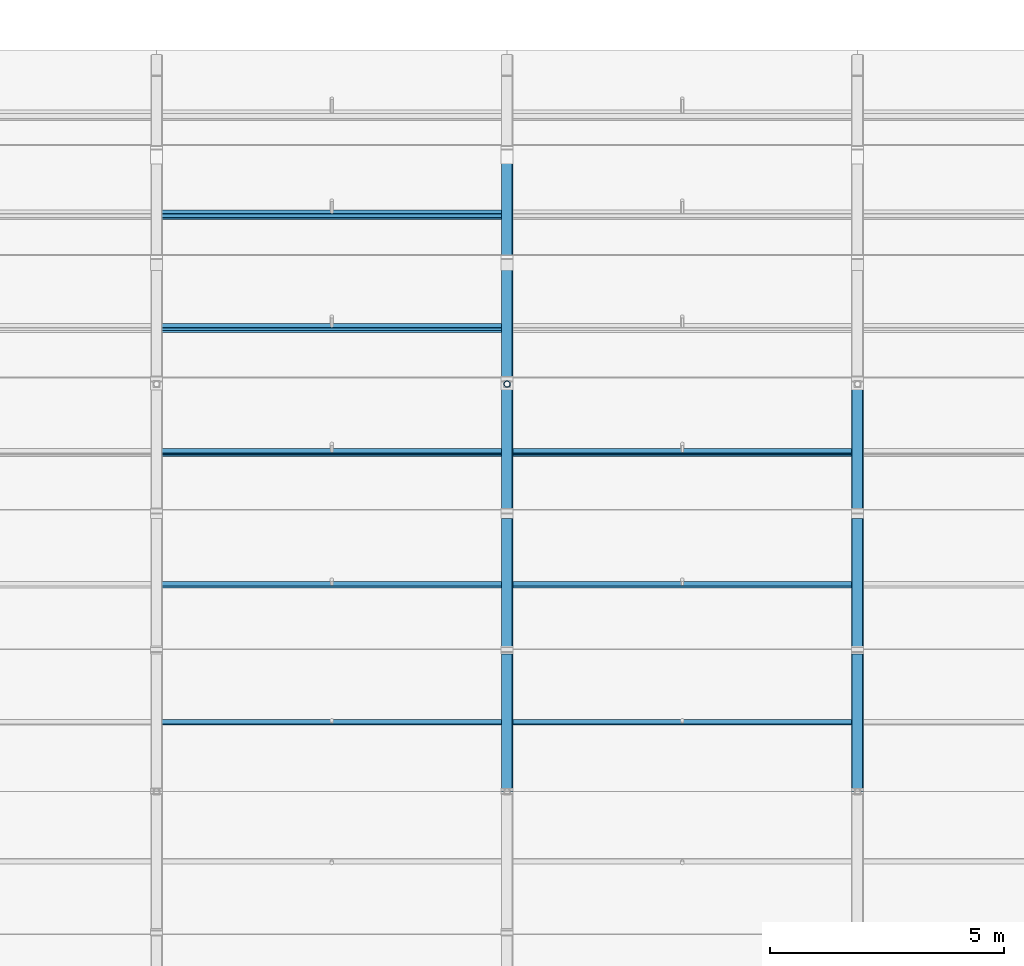
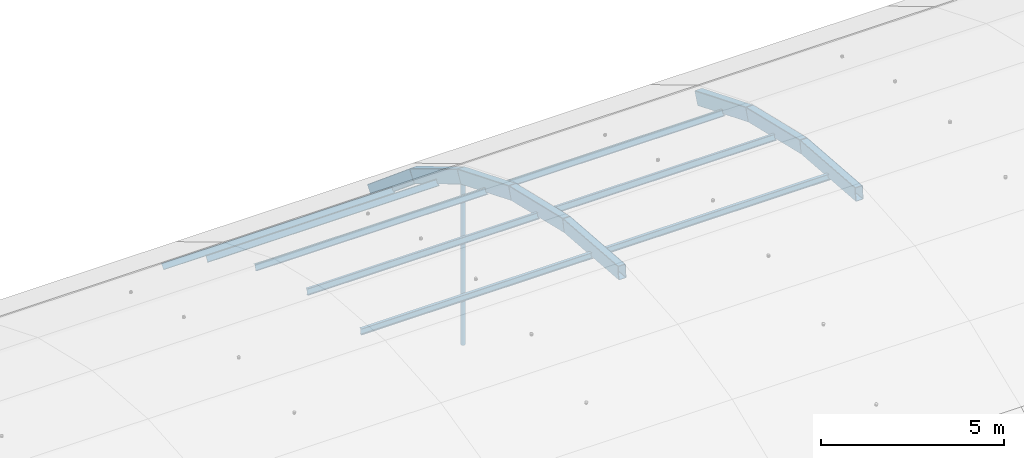
# One storey, part 17 of 77: 9 members, 8 beams.
"""IFC4 building model written with IfcOpenShell, lengths in metres."""

import ifcopenshell
import ifcopenshell.guid

model = None  # the IFC model being written
_history = None  # IfcOwnerHistory: only IFC2X3 demands one
_inside = {}  # id of a spatial element -> (the spatial element, [elements in it])
_under = {}  # id of a project, library or spatial element -> (it, [spatial elements below it])
_declared = {}  # id of a project -> (the project, [libraries it declares])
_typed = {}  # id of a type object -> (the type object, [elements of that type])
_made_of = {}  # id of a material, layer set ... -> (it, [elements and type objects made of it])


def new_model(schema):
    """Start an empty IFC model of exactly this schema.

    Asked for "IFC4X3", IfcOpenShell would pick the latest addendum, in which some entities
    have other attributes; the version numbers below select the first issue.
    IFC2X3 requires an IfcOwnerHistory on every rooted entity: one is made here for all.
    """
    global model, _history
    if schema == "IFC4X3":
        model = ifcopenshell.file(schema_version=(4, 3, 0, 0))
    else:
        model = ifcopenshell.file(schema=schema)
    _inside.clear()
    _under.clear()
    _declared.clear()
    _typed.clear()
    _made_of.clear()
    _history = None
    if model.schema == "IFC2X3":
        org = make("IfcOrganization", Name="unknown")
        user = make(
            "IfcPersonAndOrganization",
            ThePerson=make("IfcPerson", FamilyName="unknown"),
            TheOrganization=org,
        )
        app = make(
            "IfcApplication",
            ApplicationDeveloper=org,
            Version="unknown",
            ApplicationFullName="unknown",
            ApplicationIdentifier="unknown",
        )
        _history = make(
            "IfcOwnerHistory",
            OwningUser=user,
            OwningApplication=app,
            ChangeAction="ADDED",
            CreationDate=0,
        )
    return model


def make(cls, **values):
    """One entity of the class cls with the attributes given. An attribute that is None is left unset."""
    return model.create_entity(
        cls, **{name: value for name, value in values.items() if value is not None}
    )


def rooted(cls, **values):
    """An entity with a GlobalId (a new one), such as an element, a storey or a relation."""
    return make(cls, GlobalId=ifcopenshell.guid.new(), OwnerHistory=_history, **values)


def si_unit(unit_type, name, prefix=None):
    """IfcSIUnit, for example si_unit("LENGTHUNIT", "METRE", prefix="MILLI")."""
    return make("IfcSIUnit", UnitType=unit_type, Prefix=prefix, Name=name)


def assignment(units):
    """IfcUnitAssignment: the units of a project."""
    return None if units is None else make("IfcUnitAssignment", Units=units)


def point(xyz):
    """IfcCartesianPoint."""
    return None if xyz is None else make("IfcCartesianPoint", Coordinates=xyz)


def direction(xyz):
    """IfcDirection."""
    return None if xyz is None else make("IfcDirection", DirectionRatios=xyz)


def frame(location, z_axis=None, x_axis=None):
    """IfcAxis2Placement3D, a coordinate frame: its origin and axes. An axis left out is left unset."""
    return make(
        "IfcAxis2Placement3D",
        Location=point(location),
        Axis=direction(z_axis),
        RefDirection=direction(x_axis),
    )


def frame_2d(location, x_axis=None):
    """IfcAxis2Placement2D, a coordinate frame in the plane: its origin and x axis."""
    return make(
        "IfcAxis2Placement2D", Location=point(location), RefDirection=direction(x_axis)
    )


def origin():
    """The frame at (0, 0, 0) with its axes left unset."""
    return frame((0.0, 0.0, 0.0))


def origin_2d():
    """The frame at (0, 0) in the plane with its x axis left unset."""
    return frame_2d((0.0, 0.0))


def place(relative_to, where):
    """IfcLocalPlacement: puts the frame where relative to a parent placement (None: the world)."""
    return make(
        "IfcLocalPlacement", PlacementRelTo=relative_to, RelativePlacement=where
    )


def context(
    kind, dimensions, precision=None, world=None, true_north=None, identifier=None
):
    """IfcGeometricRepresentationContext, for example the 3D "Model" context."""
    return make(
        "IfcGeometricRepresentationContext",
        ContextIdentifier=identifier,
        ContextType=kind,
        CoordinateSpaceDimension=dimensions,
        Precision=precision,
        WorldCoordinateSystem=world,
        TrueNorth=true_north,
    )


def subcontext(parent, identifier, kind, view, scale=None):
    """IfcGeometricRepresentationSubContext, for example "Body" below "Model"."""
    return make(
        "IfcGeometricRepresentationSubContext",
        ContextIdentifier=identifier,
        ContextType=kind,
        ParentContext=parent,
        TargetScale=scale,
        TargetView=view,
    )


def project(units=None, contexts=None):
    """IfcProject with its units and contexts."""
    return rooted(
        "IfcProject",
        Name="project",
        RepresentationContexts=contexts,
        UnitsInContext=assignment(units),
    )


def spatial(cls, under=None, at=None, **own):
    """A site, building, storey or space (cls), placed at a placement, below another one or the project."""
    s = rooted(cls, ObjectPlacement=at, **own)
    if under is not None:
        _under.setdefault(under.id(), (under, []))[1].append(s)
    return s


def profile(cls, at=None, kind="AREA", **sizes):
    """A parametric profile (cls). Its sizes go by their IFC names, for example OverallWidth=200.0."""
    return make(cls, ProfileType=kind, Position=at, **sizes)


def hollow_rectangle(**sizes):
    """IfcRectangleHollowProfileDef."""
    return profile("IfcRectangleHollowProfileDef", **sizes)


def hollow_circle(**sizes):
    """IfcCircleHollowProfileDef."""
    return profile("IfcCircleHollowProfileDef", **sizes)


def i_section(**sizes):
    """IfcIShapeProfileDef."""
    return profile("IfcIShapeProfileDef", **sizes)


def extrude(swept, where, along, depth):
    """IfcExtrudedAreaSolid: the profile swept, set in the frame where, extruded along a direction by depth."""
    return make(
        "IfcExtrudedAreaSolid",
        SweptArea=swept,
        Position=where,
        ExtrudedDirection=direction(along),
        Depth=depth,
    )


def shape(context_of_items, identifier, shape_type, items):
    """IfcShapeRepresentation: the items that make up one representation, for example the "Body"."""
    return make(
        "IfcShapeRepresentation",
        ContextOfItems=context_of_items,
        RepresentationIdentifier=identifier,
        RepresentationType=shape_type,
        Items=items,
    )


def material(Name=None, Category=None):
    """IfcMaterial."""
    return make("IfcMaterial", Name=Name, Category=Category)


def material_profile(
    of_material, cross_section, Name=None, Category=None, Priority=None
):
    """IfcMaterialProfile: a cross section and its material."""
    return make(
        "IfcMaterialProfile",
        Name=Name,
        Material=of_material,
        Profile=cross_section,
        Priority=Priority,
        Category=Category,
    )


def profile_set(profiles, Name=None, composite=None):
    """IfcMaterialProfileSet."""
    return make(
        "IfcMaterialProfileSet",
        Name=Name,
        MaterialProfiles=profiles,
        CompositeProfile=composite,
    )


def made_of(thing, what):
    """Note that an element or type object is made of a material, layer set ...; save() writes the relation."""
    if what is not None:
        _made_of.setdefault(what.id(), (what, []))[1].append(thing)
    return thing


def type_object(cls, material=None, **own):
    """A type object (cls), such as IfcWallType, which elements share."""
    return made_of(rooted(cls, **own), material)


def element(
    cls,
    number,
    at=None,
    inside=None,
    cuts=None,
    type_object=None,
    material=None,
    context=None,
    identifier="Body",
    shape_type=None,
    held_by="IfcProductDefinitionShape",
    body=None,
    shapes=None,
    **own,
):
    """One element of the class cls, such as IfcWall. Its Tag is "e" and its number.

    at: its placement. inside: the storey or other place that contains it. cuts: it is an
    opening in that element (IfcRelVoidsElement). A single representation is given by context,
    identifier, shape_type and body (its items); several are given by shapes. held_by: the class
    of the entity that holds the representations. save() writes the other relations.
    """
    e = rooted(cls, Tag="e%d" % number, ObjectPlacement=at, **own)
    if body is not None:
        shapes = [shape(context, identifier, shape_type, body)]
    if shapes is not None:
        e.Representation = make(held_by, Representations=shapes)
    if inside is not None:
        _inside.setdefault(inside.id(), (inside, []))[1].append(e)
    if cuts is not None:
        rooted(
            "IfcRelVoidsElement", RelatingBuildingElement=cuts, RelatedOpeningElement=e
        )
    if type_object is not None:
        _typed.setdefault(type_object.id(), (type_object, []))[1].append(e)
    return made_of(e, material)


def aggregate(whole, parts):
    """IfcRelAggregates: a whole, such as a stair, and the parts it consists of."""
    return rooted("IfcRelAggregates", RelatingObject=whole, RelatedObjects=parts)


def save(model, path):
    """Write the relations noted so far, then the file.

    IfcRelAggregates (storeys below a building ...), IfcRelContainedInSpatialStructure (elements
    in a storey), IfcRelDefinesByType, IfcRelAssociatesMaterial and IfcRelDeclares: one each for
    every whole, place, type object, material and project.
    """
    for whole, parts in _under.values():
        aggregate(whole, parts)
    for where, things in _inside.values():
        rooted(
            "IfcRelContainedInSpatialStructure",
            RelatedElements=things,
            RelatingStructure=where,
        )
    for kind, things in _typed.values():
        rooted("IfcRelDefinesByType", RelatedObjects=things, RelatingType=kind)
    for what, things in _made_of.values():
        rooted("IfcRelAssociatesMaterial", RelatedObjects=things, RelatingMaterial=what)
    for by, libraries in _declared.values():
        rooted("IfcRelDeclares", RelatingContext=by, RelatedDefinitions=libraries)
    model.write(path)


model = new_model("IFC4")

# Units and contexts
model_context = context("Model", 3, precision=1e-05, world=origin(), true_north=direction((0.0, 1.0)))
body_context = subcontext(model_context, "Body", "Model", "MODEL_VIEW")
ifc_project = project(units=[si_unit("LENGTHUNIT", "METRE"), si_unit("AREAUNIT", "SQUARE_METRE"), si_unit("VOLUMEUNIT", "CUBIC_METRE"), si_unit("PLANEANGLEUNIT", "RADIAN"), si_unit("MASSUNIT", "GRAM", prefix="KILO")], contexts=[model_context])

# Site, building, storey
site_placement = place(None, origin())
site = spatial("IfcSite", under=ifc_project, at=site_placement, CompositionType="ELEMENT")
building_placement = place(site_placement, origin())
building = spatial("IfcBuilding", under=site, at=building_placement, Name="Yukiwa Park Conservatory and Herbarium", CompositionType="ELEMENT")
storey_placement = place(building_placement, frame((0.0, 0.0, 13.199951171875)))
storey = spatial("IfcBuildingStorey", under=building, at=storey_placement, Name="L03", CompositionType="ELEMENT", Elevation=13.199951171875)

# Beams
ifc_material_1 = material(Name="Steel Q355D", Category="steel")
ifc_material_profile_1 = material_profile(ifc_material_1, hollow_rectangle(XDim=0.25, YDim=0.449951171875, WallThickness=0.013916015625, InnerFilletRadius=0.013916015625, OuterFilletRadius=0.028076171875, at=origin_2d()), Name="RHS 450x250x14")
ifc_profile_set_1 = profile_set([ifc_material_profile_1], Name="Steel Q355D")
beam_type = type_object("IfcBeamType", Name="BM-VLT-ARCH450", PredefinedType="BEAM", material=ifc_profile_set_1)
for number, where, z_axis, x_axis, name in (
    (1, (22.5, 15.60009765625, 3.60009765625), (0.0, 0.997015721433, -0.077198777292), (-1.0, 0.0, 0.0), "Conservatory barrel vault arch rib 4 chord 7"),
    (2, (22.5, 18.601806640625, 3.36767578125), (0.0, 0.973254208946, -0.22973080936), (-1.0, 0.0, 0.0), "Conservatory barrel vault arch rib 4 chord 8"),
    (3, (22.5, 21.531982421875, 2.676025390625), (0.0, 0.926245501683, -0.37692077498), (-1.0, 0.0, 0.0), "Conservatory barrel vault arch rib 4 chord 9"),
    (4, (22.5, 24.320556640625, 1.541259765625), (0.0, 0.857249569488, -0.514901131881), (-1.0, 0.0, 0.0), "Conservatory barrel vault arch rib 4 chord 10"),
    (5, (22.5, 26.901611328125, -0.009033203125), (0.0, 0.767782402885, -0.640710684959), (-1.0, 0.0, 0.0), "Conservatory barrel vault arch rib 4 chord 11"),
    (6, (30.0, 15.60009765625, 3.60009765625), (0.0, 0.997015721433, -0.077198777292), (-1.0, 0.0, 0.0), "Conservatory barrel vault arch rib 5 chord 7"),
    (7, (30.0, 18.601806640625, 3.36767578125), (0.0, 0.973254208946, -0.22973080936), (-1.0, 0.0, 0.0), "Conservatory barrel vault arch rib 5 chord 8"),
    (8, (30.0, 21.531982421875, 2.676025390625), (0.0, 0.926245501683, -0.37692077498), (-1.0, 0.0, 0.0), "Conservatory barrel vault arch rib 5 chord 9"),
):
    element("IfcBeam", number, at=place(storey_placement, frame(where, z_axis=z_axis, x_axis=x_axis)), inside=storey, type_object=beam_type, Name=name, PredefinedType="BEAM", context=body_context, shape_type="SweptSolid", body=[
        extrude(hollow_rectangle(XDim=0.25, YDim=0.449951171875, WallThickness=0.013916015625, InnerFilletRadius=0.013916015625, OuterFilletRadius=0.028076171875, at=origin_2d()), origin(), (0.0, 0.0, 1.0), 3.0107421875),
    ])

# Members
ifc_material_2 = material(Name="Steel Q355D", Category="steel")
ifc_material_profile_2 = material_profile(ifc_material_2, i_section(OverallWidth=0.10009765625, OverallDepth=0.199951171875, WebThickness=0.005615234375, FlangeThickness=0.008056640625, FilletRadius=0.010986328125, at=origin_2d()), Name="HN 200x100x5.5x8")
ifc_profile_set_2 = profile_set([ifc_material_profile_2], Name="Steel Q355D")
member_type_1 = type_object("IfcMemberType", Name="MB-VLT-PURL200", PredefinedType="PURLIN", material=ifc_profile_set_2)
for number, where, z_axis, x_axis, name in (
    (9, (15.0849609375, 17.087158203125, 3.308349609375), (1.0, 0.0, 0.0), (0.0, 0.997015814894, -0.077197570239), "Conservatory vault longitudinal purlin 3.7"),
    (10, (15.0849609375, 20.0263671875, 2.850341796875), (1.0, 0.0, 0.0), (0.0, 0.973249092076, -0.22975248589), "Conservatory vault longitudinal purlin 3.8"),
    (11, (15.0849609375, 22.85986328125, 1.945556640625), (1.0, 0.0, 0.0), (0.0, 0.926282194237, -0.376830594086), "Conservatory vault longitudinal purlin 3.9"),
    (12, (15.0849609375, 25.5205078125, 0.615234375), (1.0, 0.0, 0.0), (0.0, 0.857233812968, -0.514927363717), "Conservatory vault longitudinal purlin 3.10"),
    (13, (15.0849609375, 27.944580078125, -1.108642578125), (1.0, 0.0, 0.0), (0.0, 0.767751470285, -0.640747750582), "Conservatory vault longitudinal purlin 3.11"),
    (14, (22.5849609375, 17.087158203125, 3.308349609375), (1.0, 0.0, 0.0), (0.0, 0.997015814894, -0.077197570239), "Conservatory vault longitudinal purlin 4.7"),
    (15, (22.5849609375, 20.0263671875, 2.850341796875), (1.0, 0.0, 0.0), (0.0, 0.973249092076, -0.22975248589), "Conservatory vault longitudinal purlin 4.8"),
    (16, (22.5849609375, 22.85986328125, 1.945556640625), (1.0, 0.0, 0.0), (0.0, 0.926282194237, -0.376830594086), "Conservatory vault longitudinal purlin 4.9"),
):
    element("IfcMember", number, at=place(storey_placement, frame(where, z_axis=z_axis, x_axis=x_axis)), inside=storey, type_object=member_type_1, Name=name, PredefinedType="PURLIN", context=body_context, shape_type="SweptSolid", body=[
        extrude(i_section(OverallWidth=0.10009765625, OverallDepth=0.199951171875, WebThickness=0.005615234375, FlangeThickness=0.008056640625, FilletRadius=0.010986328125, at=origin_2d()), origin(), (0.0, 0.0, 1.0), 7.330078125),
    ])
ifc_material_3 = material(Name="Steel Q355D", Category="steel")
ifc_material_profile_3 = material_profile(ifc_material_3, hollow_circle(Radius=0.06982421875, WallThickness=0.008056640625, at=origin_2d()), Name="CHS 139.7x8")
ifc_profile_set_3 = profile_set([ifc_material_profile_3], Name="Steel Q355D")
member_type_2 = type_object("IfcMemberType", Name="MB-VLT-STRUT140", PredefinedType="STRUT", material=ifc_profile_set_3)
member_placement = place(storey_placement, frame((22.5, 24.320556640625, -4.095947265625), z_axis=(0.0, 0.0, 1.0), x_axis=(1.0, 0.0, 0.0)))
element("IfcMember", 17, at=member_placement, inside=storey, type_object=member_type_2, Name="Conservatory vault bowstring hanger 4.9", PredefinedType="STRUT", context=body_context, shape_type="SweptSolid", body=[
    extrude(hollow_circle(Radius=0.06982421875, WallThickness=0.008056640625, at=origin_2d()), origin(), (0.0, 0.0, 1.0), 5.42236328125),
])

save(model, "model.ifc")
